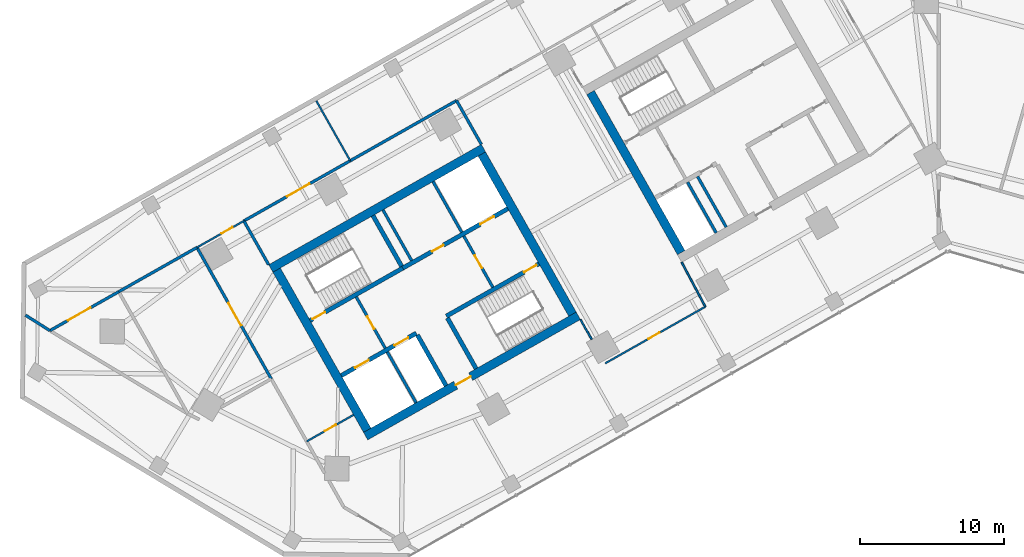
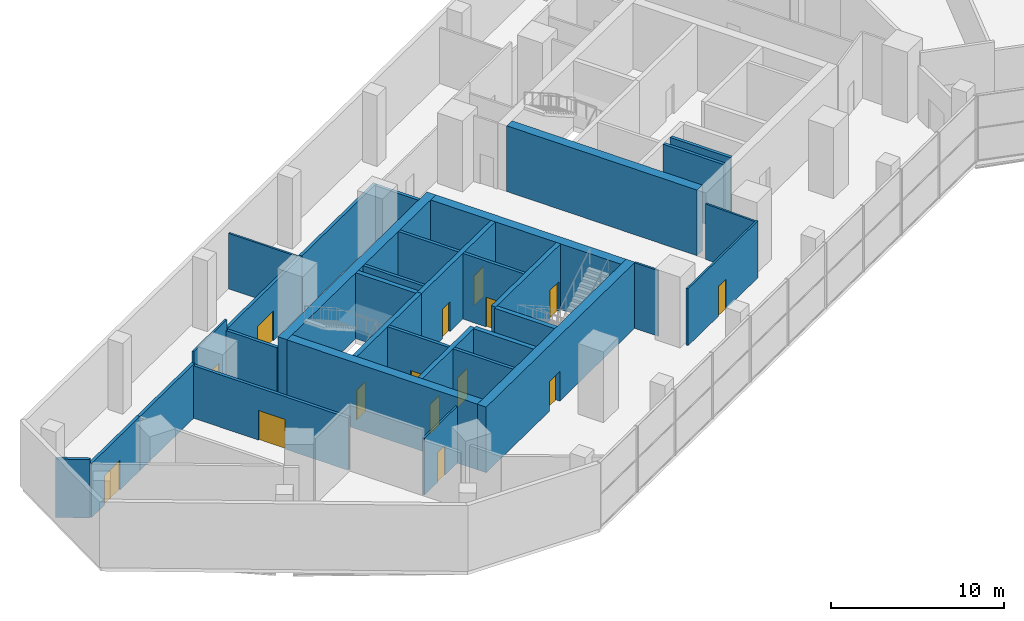
# One storey, part 11 of 18: 33 walls, 15 doors, 15 openings.
"""IFC4 building model written with IfcOpenShell, lengths in metres."""

from ifc_helpers import new_model, si_unit, direction, frame, frame_2d, origin, place, context, subcontext, project, spatial, rectangle, extrude, material, layer, layer_set, type_object, element, fill, save


model = new_model("IFC4")

# Units and contexts
model_context = context("Model", 3, precision=1e-05, world=origin(), true_north=direction((0.0, 1.0)))
body_context = subcontext(model_context, "Body", "Model", "MODEL_VIEW")
ifc_project = project(units=[si_unit("LENGTHUNIT", "METRE"), si_unit("AREAUNIT", "SQUARE_METRE"), si_unit("VOLUMEUNIT", "CUBIC_METRE"), si_unit("PLANEANGLEUNIT", "RADIAN"), si_unit("MASSUNIT", "GRAM", prefix="KILO")], contexts=[model_context])

# Site, building, storey
site_placement = place(None, origin())
site = spatial("IfcSite", under=ifc_project, at=site_placement, CompositionType="ELEMENT")
building_placement = place(site_placement, origin())
building = spatial("IfcBuilding", under=site, at=building_placement, Name="Binnacle Exchange Tower", CompositionType="ELEMENT")
storey_placement = place(building_placement, frame((0.0, 0.0, 11.5)))
storey = spatial("IfcBuildingStorey", under=building, at=storey_placement, Name="L02", CompositionType="ELEMENT", Elevation=11.5)

# Wall, openings, doors
ifc_material_1 = material(Name="Concrete C70/85", Category="concrete")
ifc_layer_1 = layer(ifc_material_1, 0.300048828125)
ifc_layer_set_1 = layer_set([ifc_layer_1], Name="Core wall - front 300")
wall_type_1 = type_object("IfcWallType", Name="Core wall - front 300", PredefinedType="SOLIDWALL", material=ifc_layer_set_1)
wall_1_placement = place(storey_placement, frame((-41.555908203125, 33.9609375, 0.0), z_axis=(0.0, 0.0, 1.0), x_axis=(0.870343731308, 0.492444706919, 0.0)))
wall_1 = element("IfcWall", 1, at=wall_1_placement, inside=storey, type_object=wall_type_1, Name="Core wall CRWA2", PredefinedType="SOLIDWALL", context=body_context, shape_type="SweptSolid", body=[
    extrude(rectangle(XDim=5.999755859375, YDim=0.300048828125, at=frame_2d((3.0, 0.0))), origin(), (0.0, 0.0, 1.0), 4.64990234375),
])
opening_1_placement = place(wall_1_placement, frame((1.099853515625, 0.0, 0.0)))
opening_1 = element("IfcOpeningElement", 2, at=opening_1_placement, cuts=wall_1, Name="Opening LD12", PredefinedType="OPENING", context=body_context, shape_type="SweptSolid", body=[
    extrude(rectangle(XDim=1.10009765625, YDim=2.10009765625, at=frame_2d((0.550048828125, 1.050048828125))), frame((0.0, 0.159912109375, 0.0), z_axis=(0.0, -1.0, 0.0), x_axis=(1.0, 0.0, 0.0)), (0.0, 0.0, 1.0), 0.320068359375),
])
opening_2_placement = place(wall_1_placement, frame((4.25, 0.0, 0.0)))
opening_2 = element("IfcOpeningElement", 3, at=opening_2_placement, cuts=wall_1, Name="Opening LD8", PredefinedType="OPENING", context=body_context, shape_type="SweptSolid", body=[
    extrude(rectangle(XDim=1.10009765625, YDim=2.10009765625, at=frame_2d((0.550048828125, 1.050048828125))), frame((0.0, 0.159912109375, 0.0), z_axis=(0.0, -1.0, 0.0), x_axis=(1.0, 0.0, 0.0)), (0.0, 0.0, 1.0), 0.320068359375),
])
ifc_material_2 = material(Name="Steel door leaf", Category="steel")
door_type_1 = type_object("IfcDoorType", Name="Fire door - lift landing 1100", OperationType="NOTDEFINED", PredefinedType="DOOR", material=ifc_material_2)
door_1_placement = place(opening_1_placement, origin())
door_1 = element("IfcDoor", 4, at=door_1_placement, inside=storey, type_object=door_type_1, Name="Landing door LD12 L02", OperationType="DOUBLE_DOOR_SLIDING", OverallHeight=2.10009765625, OverallWidth=1.10009765625, PredefinedType="DOOR", context=body_context, shape_type="SweptSolid", body=[
    extrude(rectangle(XDim=1.10009765625, YDim=2.10009765625, at=frame_2d((0.550048828125, 1.050048828125))), frame((0.0, 0.02490234375, 0.0), z_axis=(0.0, -1.0, 0.0), x_axis=(1.0, 0.0, 0.0)), (0.0, 0.0, 1.0), 0.050048828125),
])
fill(opening_1, door_1)
door_2_placement = place(opening_2_placement, origin())
door_2 = element("IfcDoor", 5, at=door_2_placement, inside=storey, type_object=door_type_1, Name="Landing door LD8 L02", OperationType="DOUBLE_DOOR_SLIDING", OverallHeight=2.10009765625, OverallWidth=1.10009765625, PredefinedType="DOOR", context=body_context, shape_type="SweptSolid", body=[
    extrude(rectangle(XDim=1.10009765625, YDim=2.10009765625, at=frame_2d((0.550048828125, 1.050048828125))), frame((0.0, 0.02490234375, 0.0), z_axis=(0.0, -1.0, 0.0), x_axis=(1.0, 0.0, 0.0)), (0.0, 0.0, 1.0), 0.050048828125),
])
fill(opening_2, door_2)

wall_2_placement = place(storey_placement, frame((-37.281982421875, 41.4345703125, 0.0), z_axis=(0.0, 0.0, 1.0), x_axis=(0.870356516133, 0.492422110414, 0.0)))
wall_2 = element("IfcWall", 6, at=wall_2_placement, inside=storey, type_object=wall_type_1, Name="Core wall CRWA5", PredefinedType="SOLIDWALL", context=body_context, shape_type="SweptSolid", body=[
    extrude(rectangle(XDim=8.399658203125, YDim=0.300048828125, at=frame_2d((4.19970703125, 0.0))), origin(), (0.0, 0.0, 1.0), 4.64990234375),
])
opening_3_placement = place(wall_2_placement, frame((6.199951171875, 0.0, 0.0)))
opening_3 = element("IfcOpeningElement", 7, at=opening_3_placement, cuts=wall_2, Name="Opening LD13", PredefinedType="OPENING", context=body_context, shape_type="SweptSolid", body=[
    extrude(rectangle(XDim=1.10009765625, YDim=2.10009765625, at=frame_2d((0.550048828125, 1.050048828125))), frame((0.0, 0.159912109375, 0.0), z_axis=(0.0, -1.0, 0.0), x_axis=(1.0, 0.0, 0.0)), (0.0, 0.0, 1.0), 0.320068359375),
])
opening_4_placement = place(wall_2_placement, frame((2.35009765625, 0.0, 0.0)))
opening_4 = element("IfcOpeningElement", 8, at=opening_4_placement, cuts=wall_2, Name="Opening DA10", PredefinedType="OPENING", context=body_context, shape_type="SweptSolid", body=[
    extrude(rectangle(XDim=0.89990234375, YDim=2.10009765625, at=frame_2d((0.449951171875, 1.050048828125))), frame((0.0, 0.159912109375, 0.0), z_axis=(0.0, -1.0, 0.0), x_axis=(1.0, 0.0, 0.0)), (0.0, 0.0, 1.0), 0.320068359375),
])
door_3_placement = place(opening_3_placement, origin())
door_3 = element("IfcDoor", 9, at=door_3_placement, inside=storey, type_object=door_type_1, Name="Landing door LD13 L02", OperationType="DOUBLE_DOOR_SLIDING", OverallHeight=2.10009765625, OverallWidth=1.10009765625, PredefinedType="DOOR", context=body_context, shape_type="SweptSolid", body=[
    extrude(rectangle(XDim=1.10009765625, YDim=2.10009765625, at=frame_2d((0.550048828125, 1.050048828125))), frame((0.0, 0.02490234375, 0.0), z_axis=(0.0, -1.0, 0.0), x_axis=(1.0, 0.0, 0.0)), (0.0, 0.0, 1.0), 0.050048828125),
])
fill(opening_3, door_3)
door_type_2 = type_object("IfcDoorType", Name="Fire door 900", OperationType="NOTDEFINED", PredefinedType="DOOR", material=ifc_material_2)
door_4_placement = place(opening_4_placement, origin())
door_4 = element("IfcDoor", 10, at=door_4_placement, inside=storey, type_object=door_type_2, Name="Core room door TELECOM RISER ROOM", OperationType="SINGLE_SWING_LEFT", OverallHeight=2.10009765625, OverallWidth=0.89990234375, PredefinedType="DOOR", context=body_context, shape_type="SweptSolid", body=[
    extrude(rectangle(XDim=0.89990234375, YDim=2.10009765625, at=frame_2d((0.449951171875, 1.050048828125))), frame((0.0, 0.02490234375, 0.0), z_axis=(0.0, -1.0, 0.0), x_axis=(1.0, 0.0, 0.0)), (0.0, 0.0, 1.0), 0.050048828125),
])
fill(opening_4, door_4)

# Wall
wall_3_placement = place(storey_placement, frame((-36.260009765625, 36.784912109375, 0.0), z_axis=(0.0, 0.0, 1.0), x_axis=(0.492440575896, -0.870346068648, 0.0)))
element("IfcWall", 11, at=wall_3_placement, inside=storey, type_object=wall_type_1, Name="Core wall CRWA13", PredefinedType="SOLIDWALL", context=body_context, shape_type="SweptSolid", body=[
    extrude(rectangle(XDim=4.050048828125, YDim=0.300048828125, at=frame_2d((2.02490234375, 0.0))), origin(), (0.0, 0.0, 1.0), 4.64990234375),
])

# Wall, opening, door
ifc_layer_2 = layer(ifc_material_1, 0.60009765625)
ifc_layer_set_2 = layer_set([ifc_layer_2], Name="Core wall - outer 600")
wall_type_2 = type_object("IfcWallType", Name="Core wall - outer 600", PredefinedType="SOLIDWALL", material=ifc_layer_set_2)
wall_4_placement = place(storey_placement, frame((-39.8623046875, 29.748779296875, 0.0), z_axis=(0.0, 0.0, 1.0), x_axis=(0.870350116061, 0.492433422375, 0.0)))
wall_4 = element("IfcWall", 12, at=wall_4_placement, inside=storey, type_object=wall_type_2, Name="Core wall CRWA1", PredefinedType="SOLIDWALL", context=body_context, shape_type="SweptSolid", body=[
    extrude(rectangle(XDim=17.0, YDim=0.60009765625, at=frame_2d((8.5, 0.0))), origin(), (0.0, 0.0, 1.0), 4.64990234375),
])
opening_5_placement = place(wall_4_placement, frame((7.199951171875, 0.0, 0.0)))
opening_5 = element("IfcOpeningElement", 13, at=opening_5_placement, cuts=wall_4, Name="Opening DA7", PredefinedType="OPENING", context=body_context, shape_type="SweptSolid", body=[
    extrude(rectangle(XDim=1.199951171875, YDim=2.10009765625, at=frame_2d((0.60009765625, 1.050048828125))), frame((0.0, 0.31005859375, 0.0), z_axis=(0.0, -1.0, 0.0), x_axis=(1.0, 0.0, 0.0)), (0.0, 0.0, 1.0), 0.6201171875),
])
door_type_3 = type_object("IfcDoorType", Name="Fire door 1200", OperationType="NOTDEFINED", PredefinedType="DOOR", material=ifc_material_2)
door_5_placement = place(opening_5_placement, frame((1.199951171875, 0.0, 0.0), z_axis=(0.0, 0.0, 1.0), x_axis=(-1.0, 0.0, 0.0)))
door_5 = element("IfcDoor", 14, at=door_5_placement, inside=storey, type_object=door_type_3, Name="Lift lobby entrance door core A", OperationType="SINGLE_SWING_RIGHT", OverallHeight=2.10009765625, OverallWidth=1.199951171875, PredefinedType="DOOR", context=body_context, shape_type="SweptSolid", body=[
    extrude(rectangle(XDim=1.199951171875, YDim=2.10009765625, at=frame_2d((0.60009765625, 1.050048828125))), frame((0.0, 0.02490234375, 0.0), z_axis=(0.0, -1.0, 0.0), x_axis=(1.0, 0.0, 0.0)), (0.0, 0.0, 1.0), 0.050048828125),
])
fill(opening_5, door_5)

# Walls
wall_5_placement = place(storey_placement, frame((-46.460693359375, 41.41162109375, 0.0), z_axis=(0.0, 0.0, 1.0), x_axis=(0.870350116061, 0.492433422375, 0.0)))
element("IfcWall", 15, at=wall_5_placement, inside=storey, type_object=wall_type_2, Name="Core wall CRWA6", PredefinedType="SOLIDWALL", context=body_context, shape_type="SweptSolid", body=[
    extrude(rectangle(XDim=17.0, YDim=0.60009765625, at=frame_2d((8.5, 0.0))), origin(), (0.0, 0.0, 1.0), 4.64990234375),
])
for number, where, z_axis, x_axis, name in (
    (16, (-46.052001953125, 41.29833984375, 0.0), (0.0, 0.0, 1.0), (0.492418598281, -0.870358503186, 0.0), "Core wall CRWA7"),
    (17, (-31.7783203125, 49.3740234375, 0.0), (0.0, 0.0, 1.0), (0.492433046652, -0.870350328641, 0.0), "Core wall CRWA22"),
    (18, (-24.214111328125, 53.653564453125, 0.0), (0.0, 0.0, 1.0), (0.492441221355, -0.870345703448, 0.0), "Core wall CRWC7"),
):
    element("IfcWall", number, at=place(storey_placement, frame(where, z_axis=z_axis, x_axis=x_axis)), inside=storey, type_object=wall_type_2, Name=name, PredefinedType="SOLIDWALL", context=body_context, shape_type="SweptSolid", body=[
        extrude(rectangle(XDim=12.800048828125, YDim=0.60009765625, at=frame_2d((6.39990234375, 0.0))), origin(), (0.0, 0.0, 1.0), 4.64990234375),
    ])

# Wall, opening, door
ifc_layer_3 = layer(ifc_material_1, 0.300048828125)
ifc_layer_set_3 = layer_set([ifc_layer_3], Name="Core wall - stair 300")
wall_type_3 = type_object("IfcWallType", Name="Core wall - stair 300", PredefinedType="SOLIDWALL", material=ifc_layer_set_3)
wall_6_placement = place(storey_placement, frame((-34.2451171875, 38.097412109375, 0.0), z_axis=(0.0, 0.0, 1.0), x_axis=(0.870364910201, 0.492407273597, 0.0)))
wall_6 = element("IfcWall", 19, at=wall_6_placement, inside=storey, type_object=wall_type_3, Name="Core wall CRWA3", PredefinedType="SOLIDWALL", context=body_context, shape_type="SweptSolid", body=[
    extrude(rectangle(XDim=7.39990234375, YDim=0.300048828125, at=frame_2d((3.699951171875, 0.0))), origin(), (0.0, 0.0, 1.0), 4.64990234375),
])
opening_6_placement = place(wall_6_placement, frame((6.199951171875, 0.0, 0.0)))
opening_6 = element("IfcOpeningElement", 20, at=opening_6_placement, cuts=wall_6, Name="Opening DA2", PredefinedType="OPENING", context=body_context, shape_type="SweptSolid", body=[
    extrude(rectangle(XDim=1.0, YDim=2.10009765625, at=frame_2d((0.5, 1.050048828125))), frame((0.0, 0.159912109375, 0.0), z_axis=(0.0, -1.0, 0.0), x_axis=(1.0, 0.0, 0.0)), (0.0, 0.0, 1.0), 0.320068359375),
])
door_type_4 = type_object("IfcDoorType", Name="Fire door 1000", OperationType="NOTDEFINED", PredefinedType="DOOR", material=ifc_material_2)
door_6_placement = place(opening_6_placement, frame((1.0, 0.0, 0.0), z_axis=(0.0, 0.0, 1.0), x_axis=(-1.0, 0.0, 0.0)))
door_6 = element("IfcDoor", 21, at=door_6_placement, inside=storey, type_object=door_type_4, Name="Stair door ST-A2", OperationType="SINGLE_SWING_LEFT", OverallHeight=2.10009765625, OverallWidth=1.0, PredefinedType="DOOR", context=body_context, shape_type="SweptSolid", body=[
    extrude(rectangle(XDim=1.0, YDim=2.10009765625, at=frame_2d((0.5, 1.050048828125))), frame((0.0, 0.02490234375, 0.0), z_axis=(0.0, -1.0, 0.0), x_axis=(1.0, 0.0, 0.0)), (0.0, 0.0, 1.0), 0.050048828125),
])
fill(opening_6, door_6)

wall_7_placement = place(storey_placement, frame((-43.72265625, 37.79052734375, 0.0), z_axis=(0.0, 0.0, 1.0), x_axis=(0.87035077051, 0.49243226567, 0.0)))
wall_7 = element("IfcWall", 22, at=wall_7_placement, inside=storey, type_object=wall_type_3, Name="Core wall CRWA4", PredefinedType="SOLIDWALL", context=body_context, shape_type="SweptSolid", body=[
    extrude(rectangle(XDim=7.400146484375, YDim=0.300048828125, at=frame_2d((3.7001953125, 0.0))), origin(), (0.0, 0.0, 1.0), 4.64990234375),
])
opening_7_placement = place(wall_7_placement, frame((0.199951171875, 0.0, 0.0)))
opening_7 = element("IfcOpeningElement", 23, at=opening_7_placement, cuts=wall_7, Name="Opening DA1", PredefinedType="OPENING", context=body_context, shape_type="SweptSolid", body=[
    extrude(rectangle(XDim=1.0, YDim=2.10009765625, at=frame_2d((0.5, 1.050048828125))), frame((0.0, 0.159912109375, 0.0), z_axis=(0.0, -1.0, 0.0), x_axis=(1.0, 0.0, 0.0)), (0.0, 0.0, 1.0), 0.320068359375),
])
door_7_placement = place(opening_7_placement, origin())
door_7 = element("IfcDoor", 24, at=door_7_placement, inside=storey, type_object=door_type_4, Name="Stair door ST-A1", OperationType="SINGLE_SWING_LEFT", OverallHeight=2.10009765625, OverallWidth=1.0, PredefinedType="DOOR", context=body_context, shape_type="SweptSolid", body=[
    extrude(rectangle(XDim=1.0, YDim=2.10009765625, at=frame_2d((0.5, 1.050048828125))), frame((0.0, 0.02490234375, 0.0), z_axis=(0.0, -1.0, 0.0), x_axis=(1.0, 0.0, 0.0)), (0.0, 0.0, 1.0), 0.050048828125),
])
fill(opening_7, door_7)

# Walls
wall_8_placement = place(storey_placement, frame((-39.350341796875, 45.090087890625, 0.0), z_axis=(0.0, 0.0, 1.0), x_axis=(0.49241474071, -0.870360685654, 0.0)))
element("IfcWall", 25, at=wall_8_placement, inside=storey, type_object=wall_type_3, Name="Core wall CRWA14", PredefinedType="SOLIDWALL", context=body_context, shape_type="SweptSolid", body=[
    extrude(rectangle(XDim=4.05029296875, YDim=0.300048828125, at=frame_2d((2.025146484375, 0.0))), origin(), (0.0, 0.0, 1.0), 4.64990234375),
])
wall_9_placement = place(storey_placement, frame((-34.171142578125, 37.966796875, 0.0), z_axis=(0.0, 0.0, 1.0), x_axis=(0.492394910396, -0.870371904542, 0.0)))
element("IfcWall", 26, at=wall_9_placement, inside=storey, type_object=wall_type_3, Name="Core wall CRWA16", PredefinedType="SOLIDWALL", context=body_context, shape_type="SweptSolid", body=[
    extrude(rectangle(XDim=4.0498046875, YDim=0.300048828125, at=frame_2d((2.02490234375, 0.0))), origin(), (0.0, 0.0, 1.0), 4.64990234375),
])
ifc_material_3 = material(Name="Masonry block wall", Category="masonry")
ifc_layer_4 = layer(ifc_material_3, 0.199951171875)
ifc_layer_set_4 = layer_set([ifc_layer_4], Name="Fire wall - block 200")
wall_type_4 = type_object("IfcWallType", Name="Fire wall - block 200", PredefinedType="PARTITIONING", material=ifc_layer_set_4)
wall_10_placement = place(storey_placement, frame((-63.529052734375, 38.1669921875, 0.0), z_axis=(0.0, 0.0, 1.0), x_axis=(0.844913795328, -0.534902494352, 0.0)))
element("IfcWall", 27, at=wall_10_placement, inside=storey, type_object=wall_type_4, Name="Partition W01", PredefinedType="PARTITIONING", context=body_context, shape_type="SweptSolid", body=[
    extrude(rectangle(XDim=2.019287109375, YDim=0.199951171875, at=frame_2d((1.009765625, 0.0))), origin(), (0.0, 0.0, 1.0), 4.1298828125),
])

# Wall, opening, door
wall_11_placement = place(storey_placement, frame((-61.822998046875, 37.0869140625, 0.0), z_axis=(0.0, 0.0, 1.0), x_axis=(0.870387515286, 0.492367315359, 0.0)))
wall_11 = element("IfcWall", 28, at=wall_11_placement, inside=storey, type_object=wall_type_4, Name="Partition W02", PredefinedType="PARTITIONING", context=body_context, shape_type="SweptSolid", body=[
    extrude(rectangle(XDim=5.5, YDim=0.199951171875, at=frame_2d((2.75, 0.0))), origin(), (0.0, 0.0, 1.0), 3.830078125),
])
opening_8_placement = place(wall_11_placement, frame((1.449951171875, 0.0, 0.0)))
opening_8 = element("IfcOpeningElement", 29, at=opening_8_placement, cuts=wall_11, Name="Opening DL01-07", PredefinedType="OPENING", context=body_context, shape_type="SweptSolid", body=[
    extrude(rectangle(XDim=1.800048828125, YDim=2.10009765625, at=frame_2d((0.89990234375, 1.050048828125))), frame((0.0, 0.10986328125, 0.0), z_axis=(0.0, -1.0, 0.0), x_axis=(1.0, 0.0, 0.0)), (0.0, 0.0, 1.0), 0.219970703125),
])
door_type_5 = type_object("IfcDoorType", Name="Fire door 1800", OperationType="NOTDEFINED", PredefinedType="DOOR", material=ifc_material_2)
door_8_placement = place(opening_8_placement, frame((1.800048828125, 0.0, 0.0), z_axis=(0.0, 0.0, 1.0), x_axis=(-1.0, 0.0, 0.0)))
door_8 = element("IfcDoor", 30, at=door_8_placement, inside=storey, type_object=door_type_5, Name="Door DL01-07", OperationType="DOUBLE_DOOR_SINGLE_SWING", OverallHeight=2.10009765625, OverallWidth=1.800048828125, PredefinedType="DOOR", context=body_context, shape_type="SweptSolid", body=[
    extrude(rectangle(XDim=1.800048828125, YDim=2.10009765625, at=frame_2d((0.89990234375, 1.050048828125))), frame((0.0, 0.02490234375, 0.0), z_axis=(0.0, -1.0, 0.0), x_axis=(1.0, 0.0, 0.0)), (0.0, 0.0, 1.0), 0.050048828125),
])
fill(opening_8, door_8)

# Wall
wall_12_placement = place(storey_placement, frame((-57.035888671875, 39.794921875, 0.0), z_axis=(0.0, 0.0, 1.0), x_axis=(0.870331405276, 0.492466491236, 0.0)))
element("IfcWall", 31, at=wall_12_placement, inside=storey, type_object=wall_type_4, Name="Partition W05", PredefinedType="PARTITIONING", context=body_context, shape_type="SweptSolid", body=[
    extrude(rectangle(XDim=6.25048828125, YDim=0.199951171875, at=frame_2d((3.125244140625, 0.0))), origin(), (0.0, 0.0, 1.0), 3.830078125),
])

# Wall, opening, door
wall_13_placement = place(storey_placement, frame((-51.595947265625, 42.873046875, 0.0), z_axis=(0.0, 0.0, 1.0), x_axis=(0.492438738815, -0.870347108064, 0.0)))
wall_13 = element("IfcWall", 32, at=wall_13_placement, inside=storey, type_object=wall_type_4, Name="Partition W08", PredefinedType="PARTITIONING", context=body_context, shape_type="SweptSolid", body=[
    extrude(rectangle(XDim=10.50048828125, YDim=0.199951171875, at=frame_2d((5.250244140625, 0.0))), origin(), (0.0, 0.0, 1.0), 3.7119140625),
])
opening_9_placement = place(wall_13_placement, frame((4.449951171875, 0.0, 0.0)))
opening_9 = element("IfcOpeningElement", 33, at=opening_9_placement, cuts=wall_13, Name="Opening DL01-08", PredefinedType="OPENING", context=body_context, shape_type="SweptSolid", body=[
    extrude(rectangle(XDim=1.800048828125, YDim=2.10009765625, at=frame_2d((0.89990234375, 1.050048828125))), frame((0.0, 0.10986328125, 0.0), z_axis=(0.0, -1.0, 0.0), x_axis=(1.0, 0.0, 0.0)), (0.0, 0.0, 1.0), 0.219970703125),
])
door_9_placement = place(opening_9_placement, frame((1.800048828125, 0.0, 0.0), z_axis=(0.0, 0.0, 1.0), x_axis=(-1.0, 0.0, 0.0)))
door_9 = element("IfcDoor", 34, at=door_9_placement, inside=storey, type_object=door_type_5, Name="Door DL01-08", OperationType="DOUBLE_DOOR_SINGLE_SWING", OverallHeight=2.10009765625, OverallWidth=1.800048828125, PredefinedType="DOOR", context=body_context, shape_type="SweptSolid", body=[
    extrude(rectangle(XDim=1.800048828125, YDim=2.10009765625, at=frame_2d((0.89990234375, 1.050048828125))), frame((0.0, 0.02490234375, 0.0), z_axis=(0.0, -1.0, 0.0), x_axis=(1.0, 0.0, 0.0)), (0.0, 0.0, 1.0), 0.050048828125),
])
fill(opening_9, door_9)

# Wall
wall_14_placement = place(storey_placement, frame((-48.33203125, 44.718994140625, 0.0), z_axis=(0.0, 0.0, 1.0), x_axis=(0.492392845909, -0.87037307248, 0.0)))
element("IfcWall", 35, at=wall_14_placement, inside=storey, type_object=wall_type_4, Name="Partition W10", PredefinedType="PARTITIONING", context=body_context, shape_type="SweptSolid", body=[
    extrude(rectangle(XDim=3.49951171875, YDim=0.199951171875, at=frame_2d((1.749755859375, 0.0))), origin(), (0.0, 0.0, 1.0), 3.929931640625),
])

# Wall, opening, door
wall_15_placement = place(storey_placement, frame((-48.33203125, 44.718994140625, 0.0), z_axis=(0.0, 0.0, 1.0), x_axis=(0.870331650579, 0.492466057713, 0.0)))
wall_15 = element("IfcWall", 36, at=wall_15_placement, inside=storey, type_object=wall_type_4, Name="Partition W11", PredefinedType="PARTITIONING", context=body_context, shape_type="SweptSolid", body=[
    extrude(rectangle(XDim=8.500244140625, YDim=0.199951171875, at=frame_2d((4.25, 0.0))), origin(), (0.0, 0.0, 1.0), 4.030029296875),
])
opening_10_placement = place(wall_15_placement, frame((3.449951171875, 0.0, 0.0)))
opening_10 = element("IfcOpeningElement", 37, at=opening_10_placement, cuts=wall_15, Name="Opening DL01-12", PredefinedType="OPENING", context=body_context, shape_type="SweptSolid", body=[
    extrude(rectangle(XDim=1.800048828125, YDim=2.10009765625, at=frame_2d((0.89990234375, 1.050048828125))), frame((0.0, 0.10986328125, 0.0), z_axis=(0.0, -1.0, 0.0), x_axis=(1.0, 0.0, 0.0)), (0.0, 0.0, 1.0), 0.219970703125),
])
door_10_placement = place(opening_10_placement, frame((1.800048828125, 0.0, 0.0), z_axis=(0.0, 0.0, 1.0), x_axis=(-1.0, 0.0, 0.0)))
door_10 = element("IfcDoor", 38, at=door_10_placement, inside=storey, type_object=door_type_5, Name="Door DL01-12", OperationType="DOUBLE_DOOR_SINGLE_SWING", OverallHeight=2.10009765625, OverallWidth=1.800048828125, PredefinedType="DOOR", context=body_context, shape_type="SweptSolid", body=[
    extrude(rectangle(XDim=1.800048828125, YDim=2.10009765625, at=frame_2d((0.89990234375, 1.050048828125))), frame((0.0, 0.02490234375, 0.0), z_axis=(0.0, -1.0, 0.0), x_axis=(1.0, 0.0, 0.0)), (0.0, 0.0, 1.0), 0.050048828125),
])
fill(opening_10, door_10)

# Walls
wall_16_placement = place(storey_placement, frame((-40.93408203125, 48.905029296875, 0.0), z_axis=(0.0, 0.0, 1.0), x_axis=(0.870387854278, 0.492366716102, 0.0)))
element("IfcWall", 39, at=wall_16_placement, inside=storey, type_object=wall_type_4, Name="Partition W18", PredefinedType="PARTITIONING", context=body_context, shape_type="SweptSolid", body=[
    extrude(rectangle(XDim=8.5, YDim=0.199951171875, at=frame_2d((4.25, 0.0))), origin(), (0.0, 0.0, 1.0), 4.030029296875),
])
wall_17_placement = place(storey_placement, frame((-33.535888671875, 53.090087890625, 0.0), z_axis=(0.0, 0.0, 1.0), x_axis=(0.492521469645, -0.870300294116, 0.0)))
element("IfcWall", 40, at=wall_17_placement, inside=storey, type_object=wall_type_4, Name="Partition W20", PredefinedType="PARTITIONING", context=body_context, shape_type="SweptSolid", body=[
    extrude(rectangle(XDim=3.5, YDim=0.199951171875, at=frame_2d((1.75, 0.0))), origin(), (0.0, 0.0, 1.0), 3.929931640625),
])

# Wall, opening, door
ifc_layer_5 = layer(ifc_material_3, 0.199951171875)
ifc_layer_set_5 = layer_set([ifc_layer_5], Name="Fire wall - vestibule 200")
wall_type_5 = type_object("IfcWallType", Name="Fire wall - vestibule 200", PredefinedType="PARTITIONING", material=ifc_layer_set_5)
wall_18_placement = place(storey_placement, frame((-40.515625, 39.4326171875, 0.0), z_axis=(0.0, 0.0, 1.0), x_axis=(0.492453559952, -0.87033872216, 0.0)))
wall_18 = element("IfcWall", 41, at=wall_18_placement, inside=storey, type_object=wall_type_5, Name="Core wall CRWA10", PredefinedType="PARTITIONING", context=body_context, shape_type="SweptSolid", body=[
    extrude(rectangle(XDim=4.099853515625, YDim=0.199951171875, at=frame_2d((2.0498046875, 0.0))), origin(), (0.0, 0.0, 1.0), 4.64990234375),
])
opening_11_placement = place(wall_18_placement, frame((1.550048828125, 0.0, 0.0)))
opening_11 = element("IfcOpeningElement", 42, at=opening_11_placement, cuts=wall_18, Name="Opening DA3", PredefinedType="OPENING", context=body_context, shape_type="SweptSolid", body=[
    extrude(rectangle(XDim=1.0, YDim=2.10009765625, at=frame_2d((0.5, 1.050048828125))), frame((0.0, 0.10986328125, 0.0), z_axis=(0.0, -1.0, 0.0), x_axis=(1.0, 0.0, 0.0)), (0.0, 0.0, 1.0), 0.219970703125),
])
door_11_placement = place(opening_11_placement, frame((1.0, 0.0, 0.0), z_axis=(0.0, 0.0, 1.0), x_axis=(-1.0, 0.0, 0.0)))
door_11 = element("IfcDoor", 43, at=door_11_placement, inside=storey, type_object=door_type_4, Name="Vestibule door VEST-W", OperationType="SINGLE_SWING_LEFT", OverallHeight=2.10009765625, OverallWidth=1.0, PredefinedType="DOOR", context=body_context, shape_type="SweptSolid", body=[
    extrude(rectangle(XDim=1.0, YDim=2.10009765625, at=frame_2d((0.5, 1.050048828125))), frame((0.0, 0.02490234375, 0.0), z_axis=(0.0, -1.0, 0.0), x_axis=(1.0, 0.0, 0.0)), (0.0, 0.0, 1.0), 0.050048828125),
])
fill(opening_11, door_11)

wall_19_placement = place(storey_placement, frame((-33.030517578125, 43.66748046875, 0.0), z_axis=(0.0, 0.0, 1.0), x_axis=(0.492408451753, -0.87036424366, 0.0)))
wall_19 = element("IfcWall", 44, at=wall_19_placement, inside=storey, type_object=wall_type_5, Name="Core wall CRWA19", PredefinedType="PARTITIONING", context=body_context, shape_type="SweptSolid", body=[
    extrude(rectangle(XDim=4.099853515625, YDim=0.199951171875, at=frame_2d((2.0498046875, 0.0))), origin(), (0.0, 0.0, 1.0), 4.64990234375),
])
opening_12_placement = place(wall_19_placement, frame((1.550048828125, 0.0, 0.0)))
opening_12 = element("IfcOpeningElement", 45, at=opening_12_placement, cuts=wall_19, Name="Opening DA4", PredefinedType="OPENING", context=body_context, shape_type="SweptSolid", body=[
    extrude(rectangle(XDim=1.0, YDim=2.10009765625, at=frame_2d((0.5, 1.050048828125))), frame((0.0, 0.10986328125, 0.0), z_axis=(0.0, -1.0, 0.0), x_axis=(1.0, 0.0, 0.0)), (0.0, 0.0, 1.0), 0.219970703125),
])
door_12_placement = place(opening_12_placement, origin())
door_12 = element("IfcDoor", 46, at=door_12_placement, inside=storey, type_object=door_type_4, Name="Vestibule door VEST-E", OperationType="SINGLE_SWING_RIGHT", OverallHeight=2.10009765625, OverallWidth=1.0, PredefinedType="DOOR", context=body_context, shape_type="SweptSolid", body=[
    extrude(rectangle(XDim=1.0, YDim=2.10009765625, at=frame_2d((0.5, 1.050048828125))), frame((0.0, 0.02490234375, 0.0), z_axis=(0.0, -1.0, 0.0), x_axis=(1.0, 0.0, 0.0)), (0.0, 0.0, 1.0), 0.050048828125),
])
fill(opening_12, door_12)

ifc_material_4 = material(Name="Gypsum partition")
ifc_layer_6 = layer(ifc_material_4, 0.125)
ifc_layer_set_6 = layer_set([ifc_layer_6], Name="Partition 125")
wall_type_6 = type_object("IfcWallType", Name="Partition 125", PredefinedType="PARTITIONING", material=ifc_layer_set_6)
wall_20_placement = place(storey_placement, frame((-51.595947265625, 42.873046875, 0.0), z_axis=(0.0, 0.0, 1.0), x_axis=(0.87043427122, 0.492284652905, 0.0)))
wall_20 = element("IfcWall", 47, at=wall_20_placement, inside=storey, type_object=wall_type_6, Name="Partition W07", PredefinedType="PARTITIONING", context=body_context, shape_type="SweptSolid", body=[
    extrude(rectangle(XDim=3.749755859375, YDim=0.125, at=frame_2d((1.875, 0.0))), origin(), (0.0, 0.0, 1.0), 4.64990234375),
])
opening_13_placement = place(wall_20_placement, frame((1.949951171875, 0.0, 0.0)))
opening_13 = element("IfcOpeningElement", 48, at=opening_13_placement, cuts=wall_20, Name="Opening DL01-04", PredefinedType="OPENING", context=body_context, shape_type="SweptSolid", body=[
    extrude(rectangle(XDim=0.89990234375, YDim=2.10009765625, at=frame_2d((0.449951171875, 1.050048828125))), frame((0.0, 0.072509765625, 0.0), z_axis=(0.0, -1.0, 0.0), x_axis=(1.0, 0.0, 0.0)), (0.0, 0.0, 1.0), 0.14501953125),
])
ifc_material_5 = material(Name="Timber door leaf", Category="wood")
door_type_6 = type_object("IfcDoorType", Name="Door 900", OperationType="NOTDEFINED", PredefinedType="DOOR", material=ifc_material_5)
door_13_placement = place(opening_13_placement, origin())
door_13 = element("IfcDoor", 49, at=door_13_placement, inside=storey, type_object=door_type_6, Name="Door DL01-04", OperationType="SINGLE_SWING_RIGHT", OverallHeight=2.10009765625, OverallWidth=0.89990234375, PredefinedType="DOOR", context=body_context, shape_type="SweptSolid", body=[
    extrude(rectangle(XDim=0.89990234375, YDim=2.10009765625, at=frame_2d((0.449951171875, 1.050048828125))), frame((0.0, 0.02490234375, 0.0), z_axis=(0.0, -1.0, 0.0), x_axis=(1.0, 0.0, 0.0)), (0.0, 0.0, 1.0), 0.050048828125),
])
fill(opening_13, door_13)

wall_21_placement = place(storey_placement, frame((-43.962890625, 29.382080078125, 0.0), z_axis=(0.0, 0.0, 1.0), x_axis=(0.870259488443, 0.492593567533, 0.0)))
wall_21 = element("IfcWall", 50, at=wall_21_placement, inside=storey, type_object=wall_type_6, Name="Partition W14", PredefinedType="PARTITIONING", context=body_context, shape_type="SweptSolid", body=[
    extrude(rectangle(XDim=3.749267578125, YDim=0.125, at=frame_2d((1.87451171875, 0.0))), origin(), (0.0, 0.0, 1.0), 4.02392578125),
])
opening_14_placement = place(wall_21_placement, frame((1.449951171875, 0.0, 0.0)))
opening_14 = element("IfcOpeningElement", 51, at=opening_14_placement, cuts=wall_21, Name="Opening DL01-01", PredefinedType="OPENING", context=body_context, shape_type="SweptSolid", body=[
    extrude(rectangle(XDim=0.89990234375, YDim=2.10009765625, at=frame_2d((0.449951171875, 1.050048828125))), frame((0.0, 0.072509765625, 0.0), z_axis=(0.0, -1.0, 0.0), x_axis=(1.0, 0.0, 0.0)), (0.0, 0.0, 1.0), 0.14501953125),
])
door_14_placement = place(opening_14_placement, origin())
door_14 = element("IfcDoor", 52, at=door_14_placement, inside=storey, type_object=door_type_6, Name="Door DL01-01", OperationType="SINGLE_SWING_RIGHT", OverallHeight=2.10009765625, OverallWidth=0.89990234375, PredefinedType="DOOR", context=body_context, shape_type="SweptSolid", body=[
    extrude(rectangle(XDim=0.89990234375, YDim=2.10009765625, at=frame_2d((0.449951171875, 1.050048828125))), frame((0.0, 0.02490234375, 0.0), z_axis=(0.0, -1.0, 0.0), x_axis=(1.0, 0.0, 0.0)), (0.0, 0.0, 1.0), 0.050048828125),
])
fill(opening_14, door_14)

# Walls
wall_22_placement = place(storey_placement, frame((-43.294921875, 53.076904296875, 0.0), z_axis=(0.0, 0.0, 1.0), x_axis=(0.492503605136, -0.87031040378, 0.0)))
element("IfcWall", 53, at=wall_22_placement, inside=storey, type_object=wall_type_6, Name="Partition W15", PredefinedType="PARTITIONING", context=body_context, shape_type="SweptSolid", body=[
    extrude(rectangle(XDim=4.79345703125, YDim=0.125, at=frame_2d((2.396728515625, 0.0))), origin(), (0.0, 0.0, 1.0), 3.929931640625),
])
wall_23_placement = place(storey_placement, frame((-24.9189453125, 37.85888671875, 0.0), z_axis=(0.0, 0.0, 1.0), x_axis=(0.492366981934, -0.870387703901, 0.0)))
element("IfcWall", 54, at=wall_23_placement, inside=storey, type_object=wall_type_6, Name="Partition W24", PredefinedType="PARTITIONING", context=body_context, shape_type="SweptSolid", body=[
    extrude(rectangle(XDim=1.584228515625, YDim=0.125, at=frame_2d((0.7919921875, 0.0))), origin(), (0.0, 0.0, 1.0), 4.64990234375),
])

# Wall, opening, door
wall_24_placement = place(storey_placement, frame((-23.195068359375, 34.81298828125, 0.0), z_axis=(0.0, 0.0, 1.0), x_axis=(0.870387155114, 0.492367952057, 0.0)))
wall_24 = element("IfcWall", 55, at=wall_24_placement, inside=storey, type_object=wall_type_6, Name="Partition W27", PredefinedType="PARTITIONING", context=body_context, shape_type="SweptSolid", body=[
    extrude(rectangle(XDim=8.0, YDim=0.125, at=frame_2d((4.0, 0.0))), origin(), (0.0, 0.0, 1.0), 4.030029296875),
])
opening_15_placement = place(wall_24_placement, frame((3.449951171875, 0.0, 0.0)))
opening_15 = element("IfcOpeningElement", 56, at=opening_15_placement, cuts=wall_24, Name="Opening DL01-02", PredefinedType="OPENING", context=body_context, shape_type="SweptSolid", body=[
    extrude(rectangle(XDim=0.89990234375, YDim=2.10009765625, at=frame_2d((0.449951171875, 1.050048828125))), frame((0.0, 0.072509765625, 0.0), z_axis=(0.0, -1.0, 0.0), x_axis=(1.0, 0.0, 0.0)), (0.0, 0.0, 1.0), 0.14501953125),
])
door_15_placement = place(opening_15_placement, origin())
door_15 = element("IfcDoor", 57, at=door_15_placement, inside=storey, type_object=door_type_6, Name="Door DL01-02", OperationType="SINGLE_SWING_LEFT", OverallHeight=2.10009765625, OverallWidth=0.89990234375, PredefinedType="DOOR", context=body_context, shape_type="SweptSolid", body=[
    extrude(rectangle(XDim=0.89990234375, YDim=2.10009765625, at=frame_2d((0.449951171875, 1.050048828125))), frame((0.0, 0.02490234375, 0.0), z_axis=(0.0, -1.0, 0.0), x_axis=(1.0, 0.0, 0.0)), (0.0, 0.0, 1.0), 0.050048828125),
])
fill(opening_15, door_15)

# Walls
wall_25_placement = place(storey_placement, frame((-17.876953125, 41.843017578125, 0.0), z_axis=(0.0, 0.0, 1.0), x_axis=(0.469799130562, -0.882773344026, 0.0)))
element("IfcWall", 58, at=wall_25_placement, inside=storey, type_object=wall_type_6, Name="Partition W31", PredefinedType="PARTITIONING", context=body_context, shape_type="SweptSolid", body=[
    extrude(rectangle(XDim=3.50146484375, YDim=0.125, at=frame_2d((1.750732421875, 0.0))), origin(), (0.0, 0.0, 1.0), 3.929931640625),
])
ifc_layer_7 = layer(ifc_material_3, 0.199951171875)
ifc_layer_set_7 = layer_set([ifc_layer_7], Name="Riser wall 200")
wall_type_7 = type_object("IfcWallType", Name="Riser wall 200", PredefinedType="SOLIDWALL", material=ifc_layer_set_7)
for number, where, z_axis, x_axis, name in (
    (59, (-38.654052734375, 45.48388671875, 0.0), (0.0, 0.0, 1.0), (0.492440575896, -0.870346068648, 0.0), "Core wall CRWA15"),
    (60, (-17.468505859375, 47.416748046875, 0.0), (0.0, 0.0, 1.0), (0.492440575896, -0.870346068648, 0.0), "Core wall CRWC8"),
    (61, (-16.772216796875, 47.810791015625, 0.0), (0.0, 0.0, 1.0), (0.492440575896, -0.870346068648, 0.0), "Core wall CRWC11"),
):
    element("IfcWall", number, at=place(storey_placement, frame(where, z_axis=z_axis, x_axis=x_axis)), inside=storey, type_object=wall_type_7, Name=name, PredefinedType="SOLIDWALL", context=body_context, shape_type="SweptSolid", body=[
        extrude(rectangle(XDim=4.050048828125, YDim=0.199951171875, at=frame_2d((2.02490234375, 0.0))), origin(), (0.0, 0.0, 1.0), 4.64990234375),
    ])
ifc_layer_8 = layer(ifc_material_3, 0.199951171875)
ifc_layer_set_8 = layer_set([ifc_layer_8], Name="Shaft wall 200")
wall_type_8 = type_object("IfcWallType", Name="Shaft wall 200", PredefinedType="SOLIDWALL", material=ifc_layer_set_8)
wall_26_placement = place(storey_placement, frame((-38.348876953125, 35.603271484375, 0.0), z_axis=(0.0, 0.0, 1.0), x_axis=(0.49241474071, -0.870360685654, 0.0)))
element("IfcWall", 62, at=wall_26_placement, inside=storey, type_object=wall_type_8, Name="Core wall CRWA9", PredefinedType="SOLIDWALL", context=body_context, shape_type="SweptSolid", body=[
    extrude(rectangle(XDim=4.05029296875, YDim=0.199951171875, at=frame_2d((2.025146484375, 0.0))), origin(), (0.0, 0.0, 1.0), 4.64990234375),
])
wall_27_placement = place(storey_placement, frame((-35.172607421875, 47.45361328125, 0.0), z_axis=(0.0, 0.0, 1.0), x_axis=(0.492440575896, -0.870346068648, 0.0)))
element("IfcWall", 63, at=wall_27_placement, inside=storey, type_object=wall_type_8, Name="Core wall CRWA21", PredefinedType="SOLIDWALL", context=body_context, shape_type="SweptSolid", body=[
    extrude(rectangle(XDim=4.050048828125, YDim=0.199951171875, at=frame_2d((2.02490234375, 0.0))), origin(), (0.0, 0.0, 1.0), 4.64990234375),
])

save(model, "model.ifc")
